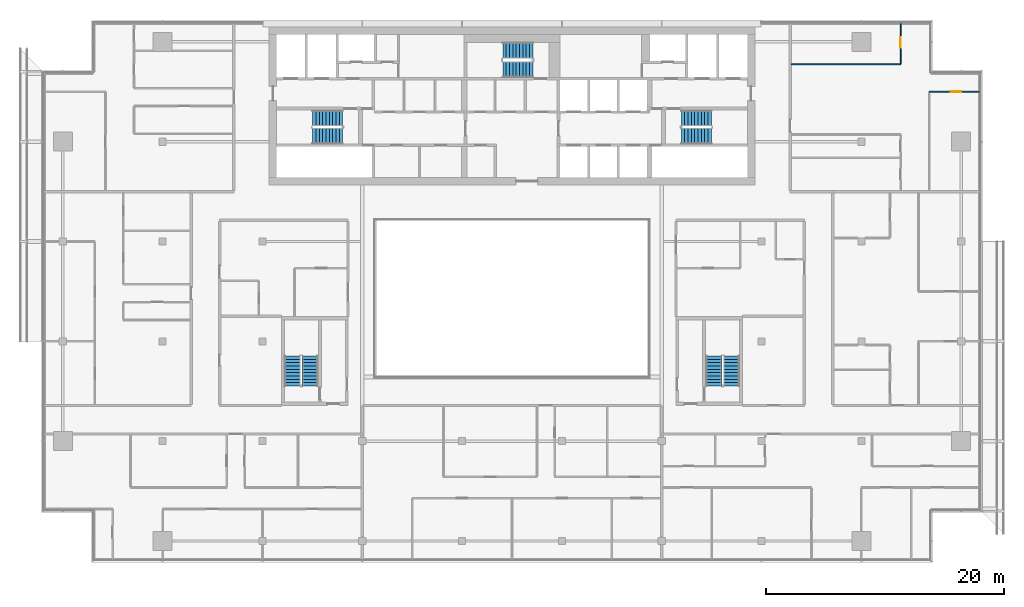
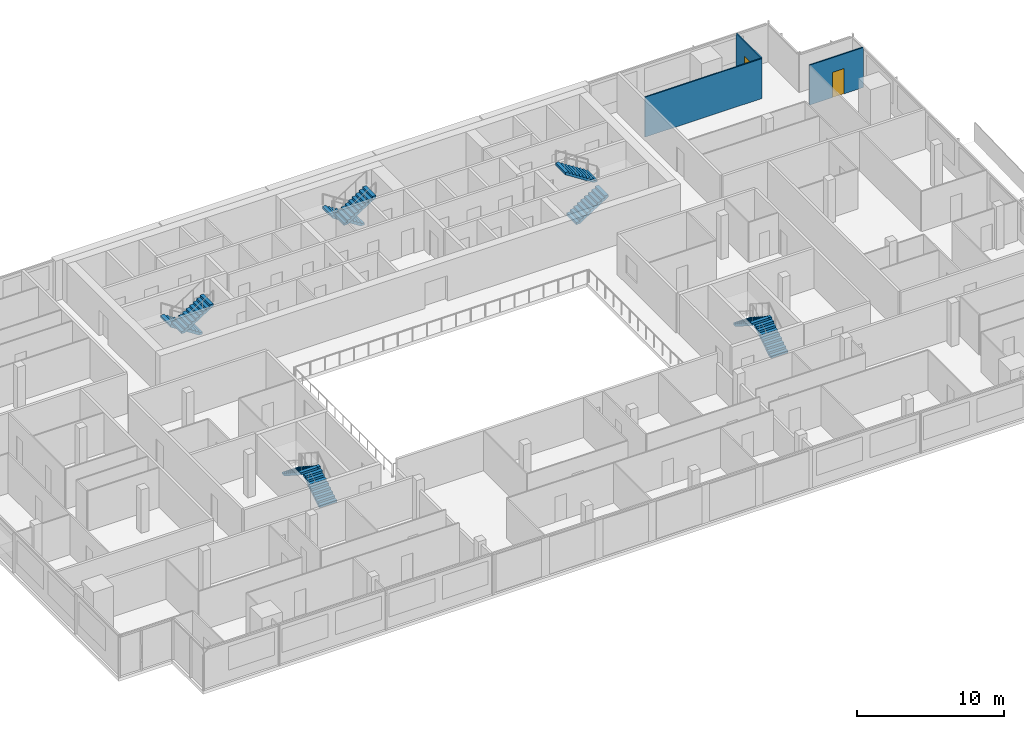
# One storey, part 24 of 28: 10 stair flights, 3 walls, 2 doors, 2 openings, 5 elements without a shape of their own.
"""IFC4 building model written with IfcOpenShell, lengths in metres."""

from ifc_helpers import new_model, si_unit, direction, frame, frame_2d, origin, place, context, subcontext, project, spatial, polyline, rectangle, outline, extrude, material, layer, layer_set, type_object, element, fill, aggregate, save


model = new_model("IFC4")

# Units and contexts
model_context = context("Model", 3, precision=1e-05, world=origin(), true_north=direction((0.0, 1.0)))
body_context = subcontext(model_context, "Body", "Model", "MODEL_VIEW")
ifc_project = project(units=[si_unit("LENGTHUNIT", "METRE"), si_unit("AREAUNIT", "SQUARE_METRE"), si_unit("VOLUMEUNIT", "CUBIC_METRE"), si_unit("PLANEANGLEUNIT", "RADIAN"), si_unit("MASSUNIT", "GRAM", prefix="KILO")], contexts=[model_context])

# Site, building, storey
site_placement = place(None, origin())
site = spatial("IfcSite", under=ifc_project, at=site_placement, CompositionType="ELEMENT")
building_placement = place(site_placement, origin())
building = spatial("IfcBuilding", under=site, at=building_placement, Name="Saffron Gate Tower", CompositionType="ELEMENT")
storey_placement = place(building_placement, frame((0.0, 0.0, 241.5)))
storey = spatial("IfcBuildingStorey", under=building, at=storey_placement, Name="L59", CompositionType="ELEMENT", Elevation=241.5)

# Wall, opening, door
ifc_material_1 = material(Name="Plasterboard on steel studs", Category="steel")
ifc_layer = layer(ifc_material_1, 0.10009765625)
ifc_layer_set = layer_set([ifc_layer], Name="PW1 Partition 100")
wall_type = type_object("IfcWallType", Name="PW1 Partition 100", PredefinedType="PARTITIONING", material=ifc_layer_set)
wall_1_placement = place(storey_placement, frame((126.919921875, 69.60009765625, 0.0), z_axis=(0.0, 0.0, 1.0), x_axis=(-1.0, 0.0, 0.0)))
wall_1 = element("IfcWall", 1, at=wall_1_placement, inside=storey, type_object=wall_type, Name="Partition D4-54", PredefinedType="PARTITIONING", context=body_context, shape_type="SweptSolid", body=[
    extrude(rectangle(XDim=4.219970703125, YDim=0.10009765625, at=frame_2d((2.10986328125, 0.0))), origin(), (0.0, 0.0, 1.0), 3.320068359375),
])
opening_1_placement = place(wall_1_placement, frame((1.52001953125, 0.0, 0.0)))
opening_1 = element("IfcOpeningElement", 2, at=opening_1_placement, cuts=wall_1, Name="Opening D4-32", PredefinedType="OPENING", context=body_context, shape_type="SweptSolid", body=[
    extrude(rectangle(XDim=0.89990234375, YDim=2.10009765625, at=frame_2d((0.449951171875, 1.050048828125))), frame((0.0, 0.06005859375, 0.0), z_axis=(0.0, -1.0, 0.0), x_axis=(1.0, 0.0, 0.0)), (0.0, 0.0, 1.0), 0.1201171875),
])
ifc_material_2 = material(Name="Timber door set", Category="wood")
door_type = type_object("IfcDoorType", Name="RD1 Room door 900x2100", OperationType="NOTDEFINED", PredefinedType="DOOR", material=ifc_material_2)
door_1_placement = place(opening_1_placement, origin())
door_1 = element("IfcDoor", 3, at=door_1_placement, inside=storey, type_object=door_type, Name="Door D4-32", OperationType="SINGLE_SWING_LEFT", OverallHeight=2.10009765625, OverallWidth=0.89990234375, PredefinedType="DOOR", context=body_context, shape_type="SweptSolid", body=[
    extrude(rectangle(XDim=0.89990234375, YDim=2.10009765625, at=frame_2d((0.449951171875, 1.050048828125))), frame((0.0, 0.02490234375, 0.0), z_axis=(0.0, -1.0, 0.0), x_axis=(1.0, 0.0, 0.0)), (0.0, 0.0, 1.0), 0.050048828125),
])
fill(opening_1, door_1)

# Wall
wall_2_placement = place(storey_placement, frame((111.10009765625, 71.90869140625, 0.0), z_axis=(0.0, 0.0, 1.0), x_axis=(1.0, 0.0, 0.0)))
element("IfcWall", 4, at=wall_2_placement, inside=storey, type_object=wall_type, Name="Partition D4-56", PredefinedType="PARTITIONING", context=body_context, shape_type="SweptSolid", body=[
    extrude(rectangle(XDim=9.199951171875, YDim=0.10009765625, at=frame_2d((4.60009765625, 0.0))), origin(), (0.0, 0.0, 1.0), 3.320068359375),
])

# Wall, opening, door
wall_3_placement = place(storey_placement, frame((120.300048828125, 71.95849609375, 0.0), z_axis=(0.0, 0.0, 1.0), x_axis=(0.0, 1.0, 0.0)))
wall_3 = element("IfcWall", 5, at=wall_3_placement, inside=storey, type_object=wall_type, Name="Partition D4-112", PredefinedType="PARTITIONING", context=body_context, shape_type="SweptSolid", body=[
    extrude(rectangle(XDim=3.361572265625, YDim=0.10009765625, at=frame_2d((1.6806640625, 0.0))), origin(), (0.0, 0.0, 1.0), 3.320068359375),
])
opening_2_placement = place(wall_3_placement, frame((1.345703125, 0.0, 0.0)))
opening_2 = element("IfcOpeningElement", 6, at=opening_2_placement, cuts=wall_3, Name="Opening D4-33", PredefinedType="OPENING", context=body_context, shape_type="SweptSolid", body=[
    extrude(rectangle(XDim=0.89990234375, YDim=2.10009765625, at=frame_2d((0.449951171875, 1.050048828125))), frame((0.0, 0.06005859375, 0.0), z_axis=(0.0, -1.0, 0.0), x_axis=(1.0, 0.0, 0.0)), (0.0, 0.0, 1.0), 0.1201171875),
])
door_2_placement = place(opening_2_placement, origin())
door_2 = element("IfcDoor", 7, at=door_2_placement, inside=storey, type_object=door_type, Name="Door D4-33", OperationType="SINGLE_SWING_RIGHT", OverallHeight=2.10009765625, OverallWidth=0.89990234375, PredefinedType="DOOR", context=body_context, shape_type="SweptSolid", body=[
    extrude(rectangle(XDim=0.89990234375, YDim=2.10009765625, at=frame_2d((0.449951171875, 1.050048828125))), frame((0.0, 0.02490234375, 0.0), z_axis=(0.0, -1.0, 0.0), x_axis=(1.0, 0.0, 0.0)), (0.0, 0.0, 1.0), 0.050048828125),
])
fill(opening_2, door_2)

# Stair, stair flights
ifc_material_3 = material(Name="Concrete C40", Category="concrete")
stair_type = type_object("IfcStairType", Name="ST7 Stair 1350 wide, 20 risers of 180", PredefinedType="HALF_TURN_STAIR", material=ifc_material_3)
stair_1_placement = place(storey_placement, origin())
stair_1 = element("IfcStair", 8, at=stair_1_placement, inside=storey, type_object=stair_type, Name="L59 Exit stair A", PredefinedType="HALF_TURN_STAIR")
stair_flight_type = type_object("IfcStairFlightType", Name="SF3 Stair flight 1350 wide, riser 180 going 280", PredefinedType="STRAIGHT", material=ifc_material_3)
stair_flight_1_placement = place(storey_placement, frame((73.35009765625, 67.375, 0.0), z_axis=(0.0, 0.0, 1.0), x_axis=(-1.0, 0.0, 0.0)))
stair_flight_1 = element("IfcStairFlight", 9, at=stair_flight_1_placement, type_object=stair_flight_type, Name="ST-A flight 1", NumberOfRisers=10, NumberOfTreads=9, PredefinedType="STRAIGHT", RiserHeight=0.18, TreadLength=0.28, context=body_context, shape_type="SweptSolid", body=[
    extrude(outline(polyline([(0.0, 0.0), (0.0, 0.179931640625), (0.280029296875, 0.179931640625), (0.280029296875, 0.360107421875), (0.56005859375, 0.360107421875), (0.56005859375, 0.5400390625), (0.840087890625, 0.5400390625), (0.840087890625, 0.719970703125), (1.1201171875, 0.719970703125), (1.1201171875, 0.89990234375), (1.39990234375, 0.89990234375), (1.39990234375, 1.080078125), (1.679931640625, 1.080078125), (1.679931640625, 1.260009765625), (1.9599609375, 1.260009765625), (1.9599609375, 1.43994140625), (2.239990234375, 1.43994140625), (2.239990234375, 1.6201171875), (2.52001953125, 1.6201171875), (2.52001953125, 1.800048828125), (2.52001953125, 1.44189453125), (0.277099609375, 0.0), (0.0, 0.0)])), frame((0.0, 0.675048828125, 0.0), z_axis=(0.0, -1.0, 0.0), x_axis=(1.0, 0.0, 0.0)), (0.0, 0.0, 1.0), 1.35009765625),
])
stair_flight_2_placement = place(storey_placement, frame((70.830078125, 65.875, 1.800048828125), z_axis=(0.0, 0.0, 1.0), x_axis=(1.0, 0.0, 0.0)))
stair_flight_2 = element("IfcStairFlight", 10, at=stair_flight_2_placement, type_object=stair_flight_type, Name="ST-A flight 2", NumberOfRisers=10, NumberOfTreads=9, PredefinedType="STRAIGHT", RiserHeight=0.18, TreadLength=0.28, context=body_context, shape_type="SweptSolid", body=[
    extrude(outline(polyline([(0.0, 0.0), (0.0, 0.179931640625), (0.280029296875, 0.179931640625), (0.280029296875, 0.360107421875), (0.56005859375, 0.360107421875), (0.56005859375, 0.5400390625), (0.840087890625, 0.5400390625), (0.840087890625, 0.719970703125), (1.1201171875, 0.719970703125), (1.1201171875, 0.89990234375), (1.39990234375, 0.89990234375), (1.39990234375, 1.080078125), (1.679931640625, 1.080078125), (1.679931640625, 1.260009765625), (1.9599609375, 1.260009765625), (1.9599609375, 1.43994140625), (2.239990234375, 1.43994140625), (2.239990234375, 1.6201171875), (2.52001953125, 1.6201171875), (2.52001953125, 1.800048828125), (2.52001953125, 1.44189453125), (0.277099609375, 0.0), (0.0, 0.0)])), frame((0.0, 0.675048828125, 0.0), z_axis=(0.0, -1.0, 0.0), x_axis=(1.0, 0.0, 0.0)), (0.0, 0.0, 1.0), 1.35009765625),
])
aggregate(stair_1, [stair_flight_1, stair_flight_2])

stair_2_placement = place(storey_placement, origin())
stair_2 = element("IfcStair", 11, at=stair_2_placement, inside=storey, type_object=stair_type, Name="L59 Exit stair B", PredefinedType="HALF_TURN_STAIR")
stair_flight_3_placement = place(storey_placement, frame((101.85009765625, 65.875, 0.0), z_axis=(0.0, 0.0, 1.0), x_axis=(1.0, 0.0, 0.0)))
stair_flight_3 = element("IfcStairFlight", 12, at=stair_flight_3_placement, type_object=stair_flight_type, Name="ST-B flight 1", NumberOfRisers=10, NumberOfTreads=9, PredefinedType="STRAIGHT", RiserHeight=0.18, TreadLength=0.28, context=body_context, shape_type="SweptSolid", body=[
    extrude(outline(polyline([(0.0, 0.0), (0.0, 0.179931640625), (0.280029296875, 0.179931640625), (0.280029296875, 0.360107421875), (0.56005859375, 0.360107421875), (0.56005859375, 0.5400390625), (0.840087890625, 0.5400390625), (0.840087890625, 0.719970703125), (1.1201171875, 0.719970703125), (1.1201171875, 0.89990234375), (1.39990234375, 0.89990234375), (1.39990234375, 1.080078125), (1.679931640625, 1.080078125), (1.679931640625, 1.260009765625), (1.9599609375, 1.260009765625), (1.9599609375, 1.43994140625), (2.239990234375, 1.43994140625), (2.239990234375, 1.6201171875), (2.52001953125, 1.6201171875), (2.52001953125, 1.800048828125), (2.52001953125, 1.44189453125), (0.277099609375, 0.0), (0.0, 0.0)])), frame((0.0, 0.675048828125, 0.0), z_axis=(0.0, -1.0, 0.0), x_axis=(1.0, 0.0, 0.0)), (0.0, 0.0, 1.0), 1.35009765625),
])
stair_flight_4_placement = place(storey_placement, frame((104.3701171875, 67.375, 1.800048828125), z_axis=(0.0, 0.0, 1.0), x_axis=(-1.0, 0.0, 0.0)))
stair_flight_4 = element("IfcStairFlight", 13, at=stair_flight_4_placement, type_object=stair_flight_type, Name="ST-B flight 2", NumberOfRisers=10, NumberOfTreads=9, PredefinedType="STRAIGHT", RiserHeight=0.18, TreadLength=0.28, context=body_context, shape_type="SweptSolid", body=[
    extrude(outline(polyline([(0.0, 0.0), (0.0, 0.179931640625), (0.280029296875, 0.179931640625), (0.280029296875, 0.360107421875), (0.56005859375, 0.360107421875), (0.56005859375, 0.5400390625), (0.840087890625, 0.5400390625), (0.840087890625, 0.719970703125), (1.1201171875, 0.719970703125), (1.1201171875, 0.89990234375), (1.39990234375, 0.89990234375), (1.39990234375, 1.080078125), (1.679931640625, 1.080078125), (1.679931640625, 1.260009765625), (1.9599609375, 1.260009765625), (1.9599609375, 1.43994140625), (2.239990234375, 1.43994140625), (2.239990234375, 1.6201171875), (2.52001953125, 1.6201171875), (2.52001953125, 1.800048828125), (2.52001953125, 1.44189453125), (0.277099609375, 0.0), (0.0, 0.0)])), frame((0.0, 0.675048828125, 0.0), z_axis=(0.0, -1.0, 0.0), x_axis=(1.0, 0.0, 0.0)), (0.0, 0.0, 1.0), 1.35009765625),
])
aggregate(stair_2, [stair_flight_3, stair_flight_4])

stair_3_placement = place(storey_placement, origin())
stair_3 = element("IfcStair", 14, at=stair_3_placement, inside=storey, type_object=stair_type, Name="L59 Exit stair C", PredefinedType="HALF_TURN_STAIR")
stair_flight_5_placement = place(storey_placement, frame((89.35009765625, 73.074951171875, 0.0), z_axis=(0.0, 0.0, 1.0), x_axis=(-1.0, 0.0, 0.0)))
stair_flight_5 = element("IfcStairFlight", 15, at=stair_flight_5_placement, type_object=stair_flight_type, Name="ST-C flight 1", NumberOfRisers=10, NumberOfTreads=9, PredefinedType="STRAIGHT", RiserHeight=0.18, TreadLength=0.28, context=body_context, shape_type="SweptSolid", body=[
    extrude(outline(polyline([(0.0, 0.0), (0.0, 0.179931640625), (0.280029296875, 0.179931640625), (0.280029296875, 0.360107421875), (0.56005859375, 0.360107421875), (0.56005859375, 0.5400390625), (0.840087890625, 0.5400390625), (0.840087890625, 0.719970703125), (1.1201171875, 0.719970703125), (1.1201171875, 0.89990234375), (1.39990234375, 0.89990234375), (1.39990234375, 1.080078125), (1.679931640625, 1.080078125), (1.679931640625, 1.260009765625), (1.9599609375, 1.260009765625), (1.9599609375, 1.43994140625), (2.239990234375, 1.43994140625), (2.239990234375, 1.6201171875), (2.52001953125, 1.6201171875), (2.52001953125, 1.800048828125), (2.52001953125, 1.44189453125), (0.277099609375, 0.0), (0.0, 0.0)])), frame((0.0, 0.675048828125, 0.0), z_axis=(0.0, -1.0, 0.0), x_axis=(1.0, 0.0, 0.0)), (0.0, 0.0, 1.0), 1.35009765625),
])
stair_flight_6_placement = place(storey_placement, frame((86.830078125, 71.47509765625, 1.800048828125), z_axis=(0.0, 0.0, 1.0), x_axis=(1.0, 0.0, 0.0)))
stair_flight_6 = element("IfcStairFlight", 16, at=stair_flight_6_placement, type_object=stair_flight_type, Name="ST-C flight 2", NumberOfRisers=10, NumberOfTreads=9, PredefinedType="STRAIGHT", RiserHeight=0.18, TreadLength=0.28, context=body_context, shape_type="SweptSolid", body=[
    extrude(outline(polyline([(0.0, 0.0), (0.0, 0.179931640625), (0.280029296875, 0.179931640625), (0.280029296875, 0.360107421875), (0.56005859375, 0.360107421875), (0.56005859375, 0.5400390625), (0.840087890625, 0.5400390625), (0.840087890625, 0.719970703125), (1.1201171875, 0.719970703125), (1.1201171875, 0.89990234375), (1.39990234375, 0.89990234375), (1.39990234375, 1.080078125), (1.679931640625, 1.080078125), (1.679931640625, 1.260009765625), (1.9599609375, 1.260009765625), (1.9599609375, 1.43994140625), (2.239990234375, 1.43994140625), (2.239990234375, 1.6201171875), (2.52001953125, 1.6201171875), (2.52001953125, 1.800048828125), (2.52001953125, 1.44189453125), (0.277099609375, 0.0), (0.0, 0.0)])), frame((0.0, 0.675048828125, 0.0), z_axis=(0.0, -1.0, 0.0), x_axis=(1.0, 0.0, 0.0)), (0.0, 0.0, 1.0), 1.35009765625),
])
aggregate(stair_3, [stair_flight_5, stair_flight_6])

stair_4_placement = place(storey_placement, origin())
stair_4 = element("IfcStair", 17, at=stair_4_placement, inside=storey, type_object=stair_type, Name="L59 Exit stair D", PredefinedType="HALF_TURN_STAIR")
stair_flight_7_placement = place(storey_placement, frame((70.625, 44.85009765625, 0.0), z_axis=(0.0, 0.0, 1.0), x_axis=(0.0, 1.0, 0.0)))
stair_flight_7 = element("IfcStairFlight", 18, at=stair_flight_7_placement, type_object=stair_flight_type, Name="ST-D flight 1", NumberOfRisers=10, NumberOfTreads=9, PredefinedType="STRAIGHT", RiserHeight=0.18, TreadLength=0.28, context=body_context, shape_type="SweptSolid", body=[
    extrude(outline(polyline([(0.0, 0.0), (0.0, 0.179931640625), (0.280029296875, 0.179931640625), (0.280029296875, 0.360107421875), (0.56005859375, 0.360107421875), (0.56005859375, 0.5400390625), (0.840087890625, 0.5400390625), (0.840087890625, 0.719970703125), (1.1201171875, 0.719970703125), (1.1201171875, 0.89990234375), (1.39990234375, 0.89990234375), (1.39990234375, 1.080078125), (1.679931640625, 1.080078125), (1.679931640625, 1.260009765625), (1.9599609375, 1.260009765625), (1.9599609375, 1.43994140625), (2.239990234375, 1.43994140625), (2.239990234375, 1.6201171875), (2.52001953125, 1.6201171875), (2.52001953125, 1.800048828125), (2.52001953125, 1.44189453125), (0.277099609375, 0.0), (0.0, 0.0)])), frame((0.0, 0.675048828125, 0.0), z_axis=(0.0, -1.0, 0.0), x_axis=(1.0, 0.0, 0.0)), (0.0, 0.0, 1.0), 1.35009765625),
])
stair_flight_8_placement = place(storey_placement, frame((69.125, 47.3701171875, 1.800048828125), z_axis=(0.0, 0.0, 1.0), x_axis=(0.0, -1.0, 0.0)))
stair_flight_8 = element("IfcStairFlight", 19, at=stair_flight_8_placement, type_object=stair_flight_type, Name="ST-D flight 2", NumberOfRisers=10, NumberOfTreads=9, PredefinedType="STRAIGHT", RiserHeight=0.18, TreadLength=0.28, context=body_context, shape_type="SweptSolid", body=[
    extrude(outline(polyline([(0.0, 0.0), (0.0, 0.179931640625), (0.280029296875, 0.179931640625), (0.280029296875, 0.360107421875), (0.56005859375, 0.360107421875), (0.56005859375, 0.5400390625), (0.840087890625, 0.5400390625), (0.840087890625, 0.719970703125), (1.1201171875, 0.719970703125), (1.1201171875, 0.89990234375), (1.39990234375, 0.89990234375), (1.39990234375, 1.080078125), (1.679931640625, 1.080078125), (1.679931640625, 1.260009765625), (1.9599609375, 1.260009765625), (1.9599609375, 1.43994140625), (2.239990234375, 1.43994140625), (2.239990234375, 1.6201171875), (2.52001953125, 1.6201171875), (2.52001953125, 1.800048828125), (2.52001953125, 1.44189453125), (0.277099609375, 0.0), (0.0, 0.0)])), frame((0.0, 0.675048828125, 0.0), z_axis=(0.0, -1.0, 0.0), x_axis=(1.0, 0.0, 0.0)), (0.0, 0.0, 1.0), 1.35009765625),
])
aggregate(stair_4, [stair_flight_7, stair_flight_8])

stair_5_placement = place(storey_placement, origin())
stair_5 = element("IfcStair", 20, at=stair_5_placement, inside=storey, type_object=stair_type, Name="L59 Exit stair E", PredefinedType="HALF_TURN_STAIR")
stair_flight_9_placement = place(storey_placement, frame((106.074951171875, 44.85009765625, 0.0), z_axis=(0.0, 0.0, 1.0), x_axis=(0.0, 1.0, 0.0)))
stair_flight_9 = element("IfcStairFlight", 21, at=stair_flight_9_placement, type_object=stair_flight_type, Name="ST-E flight 1", NumberOfRisers=10, NumberOfTreads=9, PredefinedType="STRAIGHT", RiserHeight=0.18, TreadLength=0.28, context=body_context, shape_type="SweptSolid", body=[
    extrude(outline(polyline([(0.0, 0.0), (0.0, 0.179931640625), (0.280029296875, 0.179931640625), (0.280029296875, 0.360107421875), (0.56005859375, 0.360107421875), (0.56005859375, 0.5400390625), (0.840087890625, 0.5400390625), (0.840087890625, 0.719970703125), (1.1201171875, 0.719970703125), (1.1201171875, 0.89990234375), (1.39990234375, 0.89990234375), (1.39990234375, 1.080078125), (1.679931640625, 1.080078125), (1.679931640625, 1.260009765625), (1.9599609375, 1.260009765625), (1.9599609375, 1.43994140625), (2.239990234375, 1.43994140625), (2.239990234375, 1.6201171875), (2.52001953125, 1.6201171875), (2.52001953125, 1.800048828125), (2.52001953125, 1.44189453125), (0.277099609375, 0.0), (0.0, 0.0)])), frame((0.0, 0.675048828125, 0.0), z_axis=(0.0, -1.0, 0.0), x_axis=(1.0, 0.0, 0.0)), (0.0, 0.0, 1.0), 1.35009765625),
])
stair_flight_10_placement = place(storey_placement, frame((104.574951171875, 47.3701171875, 1.800048828125), z_axis=(0.0, 0.0, 1.0), x_axis=(0.0, -1.0, 0.0)))
stair_flight_10 = element("IfcStairFlight", 22, at=stair_flight_10_placement, type_object=stair_flight_type, Name="ST-E flight 2", NumberOfRisers=10, NumberOfTreads=9, PredefinedType="STRAIGHT", RiserHeight=0.18, TreadLength=0.28, context=body_context, shape_type="SweptSolid", body=[
    extrude(outline(polyline([(0.0, 0.0), (0.0, 0.179931640625), (0.280029296875, 0.179931640625), (0.280029296875, 0.360107421875), (0.56005859375, 0.360107421875), (0.56005859375, 0.5400390625), (0.840087890625, 0.5400390625), (0.840087890625, 0.719970703125), (1.1201171875, 0.719970703125), (1.1201171875, 0.89990234375), (1.39990234375, 0.89990234375), (1.39990234375, 1.080078125), (1.679931640625, 1.080078125), (1.679931640625, 1.260009765625), (1.9599609375, 1.260009765625), (1.9599609375, 1.43994140625), (2.239990234375, 1.43994140625), (2.239990234375, 1.6201171875), (2.52001953125, 1.6201171875), (2.52001953125, 1.800048828125), (2.52001953125, 1.44189453125), (0.277099609375, 0.0), (0.0, 0.0)])), frame((0.0, 0.675048828125, 0.0), z_axis=(0.0, -1.0, 0.0), x_axis=(1.0, 0.0, 0.0)), (0.0, 0.0, 1.0), 1.35009765625),
])
aggregate(stair_5, [stair_flight_9, stair_flight_10])

save(model, "model.ifc")
